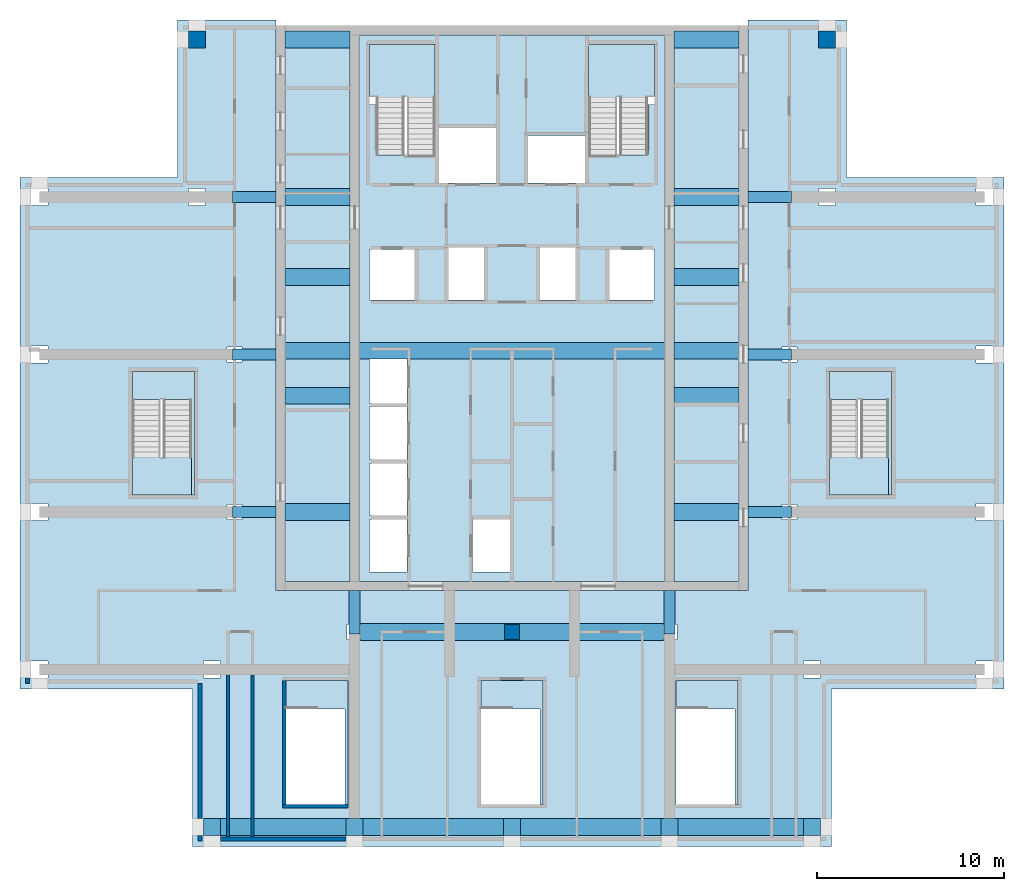
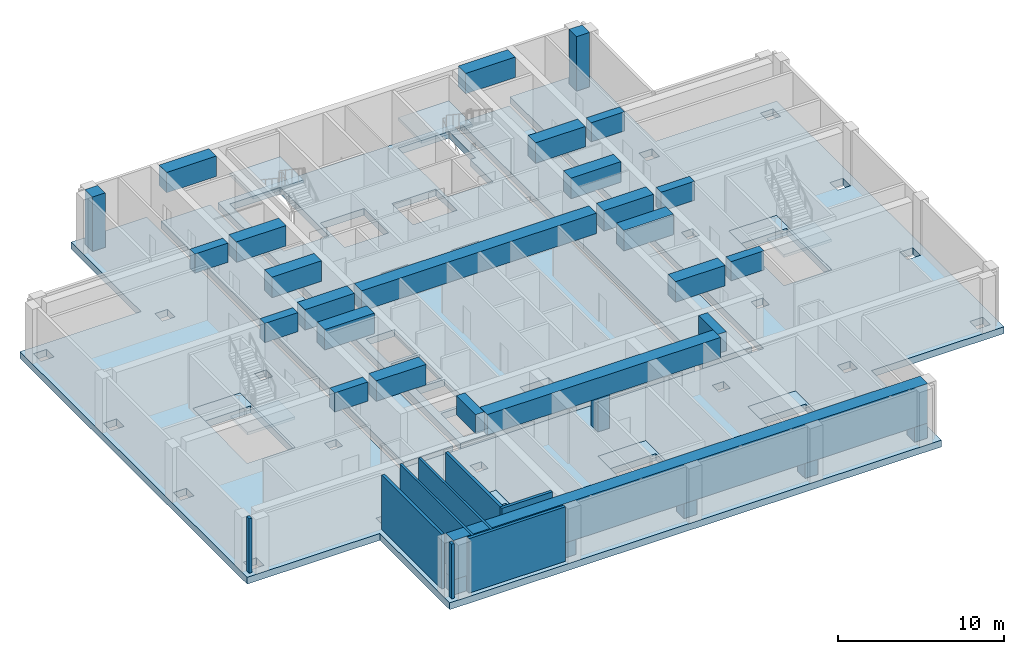
# One storey, part 1 of 11: 23 beams, 13 slabs, 8 columns, 8 walls, 4 elements without a shape of their own.
"""IFC4 building model written with IfcOpenShell, lengths in metres."""

from ifc_helpers import new_model, si_unit, direction, frame, frame_2d, origin, origin_2d, place, context, subcontext, project, spatial, polyline, rectangle, outline, extrude, material, layer, layer_set, material_profile, profile_set, type_object, element, aggregate, save


model = new_model("IFC4")

# Units and contexts
model_context = context("Model", 3, precision=1e-05, world=origin(), true_north=direction((0.0, 1.0)))
body_context = subcontext(model_context, "Body", "Model", "MODEL_VIEW")
ifc_project = project(units=[si_unit("LENGTHUNIT", "METRE"), si_unit("AREAUNIT", "SQUARE_METRE"), si_unit("VOLUMEUNIT", "CUBIC_METRE"), si_unit("PLANEANGLEUNIT", "RADIAN"), si_unit("MASSUNIT", "GRAM", prefix="KILO")], contexts=[model_context])

# Site, building, storey
site_placement = place(None, origin())
site = spatial("IfcSite", under=ifc_project, at=site_placement, CompositionType="ELEMENT")
building_placement = place(site_placement, origin())
building = spatial("IfcBuilding", under=site, at=building_placement, Name="Vermilion Ogive Tower", CompositionType="ELEMENT")
storey_placement = place(building_placement, frame((0.0, 0.0, 264.85009765625)))
storey = spatial("IfcBuildingStorey", under=building, at=storey_placement, Name="L70", CompositionType="ELEMENT", Elevation=264.85009765625)

# Columns
ifc_material_1 = material(Name="Concrete B60", Category="concrete")
ifc_material_profile_1 = material_profile(ifc_material_1, rectangle(XDim=0.89990234375, YDim=0.89990234375, at=origin_2d()), Name="900 x 900")
ifc_profile_set_1 = profile_set([ifc_material_profile_1], Name="Concrete B60")
column_type_1 = type_object("IfcColumnType", Name="Perimeter column 900 x 900 B60", PredefinedType="COLUMN", material=ifc_profile_set_1)
for number, where, z_axis, x_axis, name in (
    (1, (-16.0, -21.0, -0.5), (0.0, 0.0, 1.0), (1.0, 0.0, 0.0), "COL-L70-P-0160-210"),
    (2, (-8.39990234375, -21.0, -0.5), (0.0, 0.0, 1.0), (1.0, 0.0, 0.0), "COL-L70-P-0084-210"),
    (3, (0.0, -21.0, -0.5), (0.0, 0.0, 1.0), (1.0, 0.0, 0.0), "COL-L70-P+0000-210"),
    (4, (8.39990234375, -21.0, -0.5), (0.0, 0.0, 1.0), (1.0, 0.0, 0.0), "COL-L70-P+0084-210"),
    (5, (16.0, -21.0, -0.5), (0.0, 0.0, 1.0), (1.0, 0.0, 0.0), "COL-L70-P+0160-210"),
):
    element("IfcColumn", number, at=place(storey_placement, frame(where, z_axis=z_axis, x_axis=x_axis)), inside=storey, type_object=column_type_1, Name=name, PredefinedType="COLUMN", context=body_context, shape_type="SweptSolid", body=[
        extrude(rectangle(XDim=0.89990234375, YDim=0.89990234375, at=origin_2d()), origin(), (0.0, 0.0, 1.0), 1.599853515625),
    ])
for number, where, z_axis, x_axis, name in (
    (6, (-16.800048828125, 21.0, -0.5), (0.0, 0.0, 1.0), (1.0, 0.0, 0.0), "COL-L70-P-0168+210"),
    (7, (16.800048828125, 21.0, -0.5), (0.0, 0.0, 1.0), (1.0, 0.0, 0.0), "COL-L70-P+0168+210"),
):
    element("IfcColumn", number, at=place(storey_placement, frame(where, z_axis=z_axis, x_axis=x_axis)), inside=storey, type_object=column_type_1, Name=name, PredefinedType="COLUMN", context=body_context, shape_type="SweptSolid", body=[
        extrude(rectangle(XDim=0.89990234375, YDim=0.89990234375, at=origin_2d()), origin(), (0.0, 0.0, 1.0), 4.5),
    ])
ifc_material_2 = material(Name="Concrete B60", Category="concrete")
ifc_material_profile_2 = material_profile(ifc_material_2, rectangle(XDim=0.800048828125, YDim=0.800048828125, at=origin_2d()), Name="800 x 800")
ifc_profile_set_2 = profile_set([ifc_material_profile_2], Name="Concrete B60")
column_type_2 = type_object("IfcColumnType", Name="Ring column 800 x 800 B60", PredefinedType="COLUMN", material=ifc_profile_set_2)
column_placement = place(storey_placement, frame((0.0, -10.60009765625, -0.5), z_axis=(0.0, 0.0, 1.0), x_axis=(1.0, 0.0, 0.0)))
element("IfcColumn", 8, at=column_placement, inside=storey, type_object=column_type_2, Name="COL-L70-R+0000-106", PredefinedType="COLUMN", context=body_context, shape_type="SweptSolid", body=[
    extrude(rectangle(XDim=0.800048828125, YDim=0.800048828125, at=origin_2d()), origin(), (0.0, 0.0, 1.0), 3.0),
])

# Beams
ifc_material_3 = material(Name="Concrete B60", Category="concrete")
ifc_material_profile_3 = material_profile(ifc_material_3, rectangle(XDim=0.89990234375, YDim=2.89990234375, at=origin_2d()), Name="900 x 2900")
ifc_profile_set_3 = profile_set([ifc_material_profile_3], Name="Concrete B60")
beam_type_1 = type_object("IfcBeamType", Name="Belt girder 900 x 2900 B60", PredefinedType="BEAM", material=ifc_profile_set_3)
beam_1_placement = place(storey_placement, frame((-16.449951171875, -21.0, 2.5498046875), z_axis=(1.0, 0.0, 0.0), x_axis=(0.0, 1.0, 0.0)))
element("IfcBeam", 9, at=beam_1_placement, inside=storey, type_object=beam_type_1, Name="L70-BG-1", PredefinedType="BEAM", context=body_context, shape_type="SweptSolid", body=[
    extrude(rectangle(XDim=0.89990234375, YDim=2.89990234375, at=origin_2d()), origin(), (0.0, 0.0, 1.0), 32.89990234375),
])
ifc_material_4 = material(Name="Concrete B60", Category="concrete")
ifc_material_profile_4 = material_profile(ifc_material_4, rectangle(XDim=0.89990234375, YDim=1.5, at=origin_2d()), Name="900 x 1500")
ifc_profile_set_4 = profile_set([ifc_material_profile_4], Name="Concrete B60")
beam_type_2 = type_object("IfcBeamType", Name="Core transfer girder 900 x 1500 B60", PredefinedType="BEAM", material=ifc_profile_set_4)
beam_2_placement = place(storey_placement, frame((-12.094970703125, 4.39990234375, 3.25), z_axis=(1.0, 0.0, 0.0), x_axis=(0.0, 1.0, 0.0)))
element("IfcBeam", 10, at=beam_2_placement, inside=storey, type_object=beam_type_2, Name="L70-CT-1", PredefinedType="BEAM", context=body_context, shape_type="SweptSolid", body=[
    extrude(rectangle(XDim=0.89990234375, YDim=1.5, at=origin_2d()), origin(), (0.0, 0.0, 1.0), 3.43994140625),
])
beam_3_placement = place(storey_placement, frame((-8.14501953125, 4.39990234375, 3.25), z_axis=(1.0, 0.0, 0.0), x_axis=(0.0, 1.0, 0.0)))
element("IfcBeam", 11, at=beam_3_placement, inside=storey, type_object=beam_type_2, Name="L70-CT-2", PredefinedType="BEAM", context=body_context, shape_type="SweptSolid", body=[
    extrude(rectangle(XDim=0.89990234375, YDim=1.5, at=origin_2d()), origin(), (0.0, 0.0, 1.0), 16.2900390625),
])
beam_4_placement = place(storey_placement, frame((8.655029296875, 4.39990234375, 3.25), z_axis=(1.0, 0.0, 0.0), x_axis=(0.0, 1.0, 0.0)))
element("IfcBeam", 12, at=beam_4_placement, inside=storey, type_object=beam_type_2, Name="L70-CT-3", PredefinedType="BEAM", context=body_context, shape_type="SweptSolid", body=[
    extrude(rectangle(XDim=0.89990234375, YDim=1.5, at=origin_2d()), origin(), (0.0, 0.0, 1.0), 3.43994140625),
])
ifc_material_5 = material(Name="Concrete B60", Category="concrete")
ifc_material_profile_5 = material_profile(ifc_material_5, rectangle(XDim=0.60009765625, YDim=1.39990234375, at=origin_2d()), Name="600 x 1400")
ifc_profile_set_5 = profile_set([ifc_material_profile_5], Name="Concrete B60")
beam_type_3 = type_object("IfcBeamType", Name="Outrigger lintel beam 600 x 1400 B60", PredefinedType="BEAM", material=ifc_profile_set_5)
for number, where, z_axis, x_axis, name in (
    (13, (12.60009765625, -4.199951171875, 3.2998046875), (1.0, 0.0, 0.0), (0.0, 1.0, 0.0), "L70-OL-EWE-4.2"),
    (14, (12.60009765625, 4.199951171875, 3.2998046875), (1.0, 0.0, 0.0), (0.0, 1.0, 0.0), "L70-OL-EWE+4.2"),
    (15, (12.60009765625, 12.60009765625, 3.2998046875), (1.0, 0.0, 0.0), (0.0, 1.0, 0.0), "L70-OL-EWE+12.6"),
    (16, (-12.60009765625, -4.199951171875, 3.2998046875), (-1.0, 0.0, 0.0), (0.0, -1.0, 0.0), "L70-OL-EWW-4.2"),
    (17, (-12.60009765625, 4.199951171875, 3.2998046875), (-1.0, 0.0, 0.0), (0.0, -1.0, 0.0), "L70-OL-EWW+4.2"),
    (18, (-12.60009765625, 12.60009765625, 3.2998046875), (-1.0, 0.0, 0.0), (0.0, -1.0, 0.0), "L70-OL-EWW+12.6"),
):
    element("IfcBeam", number, at=place(storey_placement, frame(where, z_axis=z_axis, x_axis=x_axis)), inside=storey, type_object=beam_type_3, Name=name, PredefinedType="BEAM", context=body_context, shape_type="SweptSolid", body=[
        extrude(rectangle(XDim=0.60009765625, YDim=1.39990234375, at=origin_2d()), origin(), (0.0, 0.0, 1.0), 2.2998046875),
    ])
for number, where, z_axis, x_axis, name in (
    (19, (-8.39990234375, -8.39990234375, 3.2998046875), (0.0, -1.0, 0.0), (1.0, 0.0, 0.0), "L70-OL-NS-8.4"),
    (20, (8.39990234375, -8.39990234375, 3.2998046875), (0.0, -1.0, 0.0), (1.0, 0.0, 0.0), "L70-OL-NS+8.4"),
):
    element("IfcBeam", number, at=place(storey_placement, frame(where, z_axis=z_axis, x_axis=x_axis)), inside=storey, type_object=beam_type_3, Name=name, PredefinedType="BEAM", context=body_context, shape_type="SweptSolid", body=[
        extrude(rectangle(XDim=0.60009765625, YDim=1.39990234375, at=origin_2d()), origin(), (0.0, 0.0, 1.0), 2.300048828125),
    ])
ifc_material_6 = material(Name="Concrete B60", Category="concrete")
ifc_material_profile_6 = material_profile(ifc_material_6, rectangle(XDim=0.89990234375, YDim=1.5, at=origin_2d()), Name="900 x 1500")
ifc_profile_set_6 = profile_set([ifc_material_profile_6], Name="Concrete B60")
beam_type_4 = type_object("IfcBeamType", Name="Ring girder 900 x 1500 B60", PredefinedType="BEAM", material=ifc_profile_set_6)
beam_5_placement = place(storey_placement, frame((-8.090087890625, -10.60009765625, 3.25), z_axis=(1.0, 0.0, 0.0), x_axis=(0.0, 1.0, 0.0)))
element("IfcBeam", 21, at=beam_5_placement, inside=storey, type_object=beam_type_4, Name="L70-RG-1", PredefinedType="BEAM", context=body_context, shape_type="SweptSolid", body=[
    extrude(rectangle(XDim=0.89990234375, YDim=1.5, at=origin_2d()), origin(), (0.0, 0.0, 1.0), 16.18017578125),
])
ifc_material_7 = material(Name="Concrete B60", Category="concrete")
ifc_material_profile_7 = material_profile(ifc_material_7, rectangle(XDim=0.89990234375, YDim=1.5, at=origin_2d()), Name="900 x 1500")
ifc_profile_set_7 = profile_set([ifc_material_profile_7], Name="Concrete B60")
beam_type_5 = type_object("IfcBeamType", Name="Transfer girder 900 x 1500 B60", PredefinedType="BEAM", material=ifc_profile_set_7)
for number, where, z_axis, x_axis, name in (
    (22, (-12.10009765625, -4.199951171875, 3.25), (1.0, 0.0, 0.0), (0.0, 1.0, 0.0), "L70-TG-1"),
    (23, (8.64990234375, -4.199951171875, 3.25), (1.0, 0.0, 0.0), (0.0, 1.0, 0.0), "L70-TG-2"),
    (24, (-12.10009765625, 12.60009765625, 3.25), (1.0, 0.0, 0.0), (0.0, 1.0, 0.0), "L70-TG-3"),
    (25, (8.64990234375, 12.60009765625, 3.25), (1.0, 0.0, 0.0), (0.0, 1.0, 0.0), "L70-TG-4"),
    (26, (-12.10009765625, 21.0, 3.25), (1.0, 0.0, 0.0), (0.0, 1.0, 0.0), "L70-TG-5"),
    (27, (8.64990234375, 21.0, 3.25), (1.0, 0.0, 0.0), (0.0, 1.0, 0.0), "L70-TG-6"),
    (28, (-12.10009765625, 2.0, 3.25), (1.0, 0.0, 0.0), (0.0, 1.0, 0.0), "L70-TG-7"),
    (29, (8.64990234375, 2.0, 3.25), (1.0, 0.0, 0.0), (0.0, 1.0, 0.0), "L70-TG-8"),
    (30, (-12.10009765625, 8.333251953125, 3.25), (1.0, 0.0, 0.0), (0.0, 1.0, 0.0), "L70-TG-9"),
    (31, (8.64990234375, 8.333251953125, 3.25), (1.0, 0.0, 0.0), (0.0, 1.0, 0.0), "L70-TG-10"),
):
    element("IfcBeam", number, at=place(storey_placement, frame(where, z_axis=z_axis, x_axis=x_axis)), inside=storey, type_object=beam_type_5, Name=name, PredefinedType="BEAM", context=body_context, shape_type="SweptSolid", body=[
        extrude(rectangle(XDim=0.89990234375, YDim=1.5, at=origin_2d()), origin(), (0.0, 0.0, 1.0), 3.4501953125),
    ])

# Slabs
ifc_material_8 = material(Name="Concrete B40", Category="concrete")
ifc_layer_1 = layer(ifc_material_8, 0.5)
ifc_layer_set_1 = layer_set([ifc_layer_1], Name="Core floor slab 500 B40")
slab_type_1 = type_object("IfcSlabType", Name="Core floor slab 500 B40", PredefinedType="FLOOR", material=ifc_layer_set_1)
slab_1_placement = place(storey_placement, frame((0.0, 0.0, -0.5)))
element("IfcSlab", 32, at=slab_1_placement, inside=storey, type_object=slab_type_1, Name="L70-CK-FS1", PredefinedType="FLOOR", context=body_context, shape_type="SweptSolid", body=[
    extrude(outline(polyline([(-8.654052734375, 21.24609375), (-8.654052734375, -7.89599609375), (-12.095947265625, -7.89599609375), (-12.095947265625, 21.24609375), (-8.654052734375, 21.24609375)])), origin(), (0.0, 0.0, 1.0), 0.5),
])
slab_2_placement = place(storey_placement, frame((0.0, 0.0, -0.5)))
element("IfcSlab", 33, at=slab_2_placement, inside=storey, type_object=slab_type_1, Name="L70-CK-FS2", PredefinedType="FLOOR", context=body_context, shape_type="SweptSolid", body=[
    extrude(outline(polyline([(-8.14599609375, -7.89599609375), (8.14599609375, -7.89599609375), (8.14599609375, 21.24609375), (-8.14599609375, 21.24609375), (-8.14599609375, -7.89599609375)]), holes=[polyline([(-7.60009765625, -7.39990234375), (-7.60009765625, -4.60009765625), (-5.60009765625, -4.60009765625), (-5.60009765625, -7.39990234375), (-7.60009765625, -7.39990234375)]), polyline([(-7.60009765625, -4.39990234375), (-7.60009765625, -1.60009765625), (-5.60009765625, -1.60009765625), (-5.60009765625, -4.39990234375), (-7.60009765625, -4.39990234375)]), polyline([(-7.60009765625, -1.39990234375), (-7.60009765625, 1.39990234375), (-5.60009765625, 1.39990234375), (-5.60009765625, -1.39990234375), (-7.60009765625, -1.39990234375)]), polyline([(-7.60009765625, 1.60009765625), (-7.60009765625, 4.39990234375), (-5.60009765625, 4.39990234375), (-5.60009765625, 1.60009765625), (-7.60009765625, 1.60009765625)]), polyline([(-7.60009765625, 7.10009765625), (-7.60009765625, 9.800048828125), (-5.199951171875, 9.800048828125), (-5.199951171875, 7.10009765625), (-7.60009765625, 7.10009765625)]), polyline([(-3.39990234375, 9.89990234375), (-1.5, 9.89990234375), (-1.5, 7.10009765625), (-3.39990234375, 7.10009765625), (-3.39990234375, 9.89990234375)]), polyline([(-7.60009765625, 17.550048828125), (-7.60009765625, 20.75), (-4.10009765625, 20.75), (-4.10009765625, 14.85205078125), (-5.60009765625, 14.85205078125), (-5.60009765625, 14.85009765625), (-5.75, 14.85009765625), (-5.75, 14.85205078125), (-7.25, 14.85205078125), (-7.25, 17.550048828125), (-7.60009765625, 17.550048828125)]), polyline([(-2.10009765625, -7.39990234375), (-2.10009765625, -4.60009765625), (-0.10009765625, -4.60009765625), (-0.10009765625, -7.39990234375), (-2.10009765625, -7.39990234375)]), polyline([(5.199951171875, 7.10009765625), (5.199951171875, 9.800048828125), (7.60009765625, 9.800048828125), (7.60009765625, 7.10009765625), (5.199951171875, 7.10009765625)]), polyline([(1.5, 7.10009765625), (1.5, 9.89990234375), (3.39990234375, 9.89990234375), (3.39990234375, 7.10009765625), (1.5, 7.10009765625)]), polyline([(0.85009765625, 13.35009765625), (0.85009765625, 15.89990234375), (3.89990234375, 15.89990234375), (3.89990234375, 13.35009765625), (0.85009765625, 13.35009765625)]), polyline([(-3.89990234375, 16.300048828125), (-0.85009765625, 16.300048828125), (-0.85009765625, 13.35009765625), (-3.89990234375, 13.35009765625), (-3.89990234375, 16.300048828125)]), polyline([(5.75, 14.85009765625), (5.60009765625, 14.85009765625), (5.60009765625, 14.85205078125), (4.10009765625, 14.85205078125), (4.10009765625, 17.550048828125), (4.074951171875, 17.550048828125), (4.074951171875, 20.75), (7.60009765625, 20.75), (7.60009765625, 17.550048828125), (7.25, 17.550048828125), (7.25, 14.85205078125), (5.75, 14.85205078125), (5.75, 14.85009765625)])]), origin(), (0.0, 0.0, 1.0), 0.5),
])
slab_3_placement = place(storey_placement, frame((0.0, 0.0, -0.5)))
element("IfcSlab", 34, at=slab_3_placement, inside=storey, type_object=slab_type_1, Name="L70-CK-FS3", PredefinedType="FLOOR", context=body_context, shape_type="SweptSolid", body=[
    extrude(outline(polyline([(8.654052734375, 21.24609375), (12.095947265625, 21.24609375), (12.095947265625, -7.89599609375), (8.654052734375, -7.89599609375), (8.654052734375, 21.24609375)])), origin(), (0.0, 0.0, 1.0), 0.5),
])
slab_4_placement = place(storey_placement, frame((0.0, 0.0, -0.5)))
element("IfcSlab", 35, at=slab_4_placement, inside=storey, type_object=slab_type_1, Name="L70-SF-ST3-1", PredefinedType="FLOOR", context=body_context, shape_type="SweptSolid", body=[
    extrude(outline(polyline([(-8.75, -13.199951171875), (-12.050048828125, -13.199951171875), (-12.050048828125, -14.699951171875), (-10.39990234375, -14.699951171875), (-10.39990234375, -14.701904296875), (-8.89990234375, -14.701904296875), (-8.89990234375, -19.800048828125), (-8.75, -19.800048828125), (-8.75, -13.199951171875)])), origin(), (0.0, 0.0, 1.0), 0.5),
])
slab_5_placement = place(storey_placement, frame((0.0, 0.0, -0.5)))
element("IfcSlab", 36, at=slab_5_placement, inside=storey, type_object=slab_type_1, Name="L70-SF-ST4-1", PredefinedType="FLOOR", context=body_context, shape_type="SweptSolid", body=[
    extrude(outline(polyline([(1.64990234375, -13.199951171875), (-1.64990234375, -13.199951171875), (-1.64990234375, -14.699951171875), (0.0, -14.699951171875), (0.0, -14.701904296875), (1.5, -14.701904296875), (1.5, -19.800048828125), (1.64990234375, -19.800048828125), (1.64990234375, -13.199951171875)])), origin(), (0.0, 0.0, 1.0), 0.5),
])
slab_6_placement = place(storey_placement, frame((0.0, 0.0, -0.5)))
element("IfcSlab", 37, at=slab_6_placement, inside=storey, type_object=slab_type_1, Name="L70-SF-ST5-1", PredefinedType="FLOOR", context=body_context, shape_type="SweptSolid", body=[
    extrude(outline(polyline([(12.050048828125, -13.199951171875), (8.75, -13.199951171875), (8.75, -14.699951171875), (10.39990234375, -14.699951171875), (10.39990234375, -14.701904296875), (11.89990234375, -14.701904296875), (11.89990234375, -19.800048828125), (12.050048828125, -19.800048828125), (12.050048828125, -13.199951171875)])), origin(), (0.0, 0.0, 1.0), 0.5),
])
slab_7_placement = place(storey_placement, frame((0.0, 0.0, -0.5)))
element("IfcSlab", 38, at=slab_7_placement, inside=storey, type_object=slab_type_1, Name="L70-SF-ST8-1", PredefinedType="FLOOR", context=body_context, shape_type="SweptSolid", body=[
    extrude(outline(polyline([(16.949951171875, 3.300048828125), (16.949951171875, 1.798095703125), (18.449951171875, 1.798095703125), (18.449951171875, 1.800048828125), (18.60009765625, 1.800048828125), (18.60009765625, 1.798095703125), (20.10009765625, 1.798095703125), (20.10009765625, -3.300048828125), (20.25, -3.300048828125), (20.25, 3.300048828125), (16.949951171875, 3.300048828125)])), origin(), (0.0, 0.0, 1.0), 0.5),
])
slab_8_placement = place(storey_placement, frame((0.0, 0.0, -0.5)))
element("IfcSlab", 39, at=slab_8_placement, inside=storey, type_object=slab_type_1, Name="L70-SF-ST9-1", PredefinedType="FLOOR", context=body_context, shape_type="SweptSolid", body=[
    extrude(outline(polyline([(-20.25, 3.300048828125), (-20.25, 1.798095703125), (-18.75, 1.798095703125), (-18.75, 1.800048828125), (-18.60009765625, 1.800048828125), (-18.60009765625, 1.798095703125), (-17.10009765625, 1.798095703125), (-17.10009765625, -3.300048828125), (-16.949951171875, -3.300048828125), (-16.949951171875, 3.300048828125), (-20.25, 3.300048828125)])), origin(), (0.0, 0.0, 1.0), 0.5),
])
ifc_material_9 = material(Name="Concrete B45", Category="concrete")
ifc_layer_2 = layer(ifc_material_9, 0.5)
ifc_layer_set_2 = layer_set([ifc_layer_2], Name="Post-tensioned flat plate 500 B45")
slab_type_2 = type_object("IfcSlabType", Name="Post-tensioned flat plate 500 B45", PredefinedType="FLOOR", material=ifc_layer_set_2)
slab_9_placement = place(storey_placement, frame((0.0, 0.0, -0.5)))
element("IfcSlab", 40, at=slab_9_placement, inside=storey, type_object=slab_type_2, Name="L70-SL-1", PredefinedType="FLOOR", context=body_context, shape_type="SweptSolid", body=[
    extrude(outline(polyline([(-26.25, 13.64990234375), (-26.25, -13.64990234375), (-17.050048828125, -13.64990234375), (-17.050048828125, -22.050048828125), (17.050048828125, -22.050048828125), (17.050048828125, -13.64990234375), (26.25, -13.64990234375), (26.25, 13.64990234375), (17.85009765625, 13.64990234375), (17.85009765625, 22.050048828125), (12.60009765625, 22.050048828125), (12.60009765625, -8.39990234375), (-12.60009765625, -8.39990234375), (-12.60009765625, 22.050048828125), (-17.85009765625, 22.050048828125), (-17.85009765625, 13.64990234375), (-26.25, 13.64990234375)]), holes=[polyline([(24.75, 13.050048828125), (25.64990234375, 13.050048828125), (25.64990234375, 12.14990234375), (24.75, 12.14990234375), (24.75, 13.050048828125)]), polyline([(24.75, -12.14990234375), (25.64990234375, -12.14990234375), (25.64990234375, -13.050048828125), (24.75, -13.050048828125), (24.75, -12.14990234375)]), polyline([(25.64990234375, 4.64990234375), (25.64990234375, 3.75), (24.75, 3.75), (24.75, 4.64990234375), (25.64990234375, 4.64990234375)]), polyline([(25.64990234375, -3.75), (25.64990234375, -4.64990234375), (24.75, -4.64990234375), (24.75, -3.75), (25.64990234375, -3.75)]), polyline([(20.275146484375, -3.2998046875), (20.25, -3.2998046875), (20.25, -3.300048828125), (16.949951171875, -3.300048828125), (16.949951171875, 3.300048828125), (20.25, 3.300048828125), (20.25, -0.89990234375), (20.275146484375, -0.89990234375), (20.275146484375, -3.2998046875)]), polyline([(16.35009765625, 13.050048828125), (17.25, 13.050048828125), (17.25, 12.14990234375), (16.35009765625, 12.14990234375), (16.35009765625, 13.050048828125)]), polyline([(17.25, 21.449951171875), (17.25, 20.550048828125), (16.35009765625, 20.550048828125), (16.35009765625, 21.449951171875), (17.25, 21.449951171875)]), polyline([(15.550048828125, -12.14990234375), (16.449951171875, -12.14990234375), (16.449951171875, -13.050048828125), (15.550048828125, -13.050048828125), (15.550048828125, -12.14990234375)]), polyline([(15.550048828125, -20.550048828125), (16.449951171875, -20.550048828125), (16.449951171875, -21.449951171875), (15.550048828125, -21.449951171875), (15.550048828125, -20.550048828125)]), polyline([(14.39990234375, 4.60009765625), (15.199951171875, 4.60009765625), (15.199951171875, 3.800048828125), (14.39990234375, 3.800048828125), (14.39990234375, 4.60009765625)]), polyline([(14.39990234375, -3.800048828125), (15.199951171875, -3.800048828125), (15.199951171875, -4.60009765625), (14.39990234375, -4.60009765625), (14.39990234375, -3.800048828125)]), polyline([(8.75, -13.199951171875), (12.050048828125, -13.199951171875), (12.050048828125, -19.800048828125), (8.75, -19.800048828125), (8.75, -13.199951171875)]), polyline([(7.949951171875, -20.550048828125), (8.85009765625, -20.550048828125), (8.85009765625, -21.449951171875), (7.949951171875, -21.449951171875), (7.949951171875, -20.550048828125)]), polyline([(8.0, -10.199951171875), (8.800048828125, -10.199951171875), (8.800048828125, -11.0), (8.0, -11.0), (8.0, -10.199951171875)]), polyline([(-1.64990234375, -13.199951171875), (1.64990234375, -13.199951171875), (1.64990234375, -19.800048828125), (-1.64990234375, -19.800048828125), (-1.64990234375, -13.199951171875)]), polyline([(-0.449951171875, -20.550048828125), (0.449951171875, -20.550048828125), (0.449951171875, -21.449951171875), (-0.449951171875, -21.449951171875), (-0.449951171875, -20.550048828125)]), polyline([(-0.39990234375, -10.199951171875), (0.39990234375, -10.199951171875), (0.39990234375, -11.0), (-0.39990234375, -11.0), (-0.39990234375, -10.199951171875)]), polyline([(-8.85009765625, -20.550048828125), (-7.949951171875, -20.550048828125), (-7.949951171875, -21.449951171875), (-8.85009765625, -21.449951171875), (-8.85009765625, -20.550048828125)]), polyline([(-8.0, -10.199951171875), (-8.0, -11.0), (-8.800048828125, -11.0), (-8.800048828125, -10.199951171875), (-8.0, -10.199951171875)]), polyline([(-12.050048828125, -13.199951171875), (-8.75, -13.199951171875), (-8.75, -19.800048828125), (-12.050048828125, -19.800048828125), (-12.050048828125, -13.199951171875)]), polyline([(-15.199951171875, -3.800048828125), (-14.39990234375, -3.800048828125), (-14.39990234375, -4.60009765625), (-15.199951171875, -4.60009765625), (-15.199951171875, -3.800048828125)]), polyline([(-14.39990234375, 4.60009765625), (-14.39990234375, 3.800048828125), (-15.199951171875, 3.800048828125), (-15.199951171875, 4.60009765625), (-14.39990234375, 4.60009765625)]), polyline([(-16.449951171875, -12.14990234375), (-15.550048828125, -12.14990234375), (-15.550048828125, -13.050048828125), (-16.449951171875, -13.050048828125), (-16.449951171875, -12.14990234375)]), polyline([(-16.449951171875, -20.550048828125), (-15.550048828125, -20.550048828125), (-15.550048828125, -21.449951171875), (-16.449951171875, -21.449951171875), (-16.449951171875, -20.550048828125)]), polyline([(-17.25, 13.050048828125), (-16.35009765625, 13.050048828125), (-16.35009765625, 12.14990234375), (-17.25, 12.14990234375), (-17.25, 13.050048828125)]), polyline([(-16.35009765625, 21.449951171875), (-16.35009765625, 20.550048828125), (-17.25, 20.550048828125), (-17.25, 21.449951171875), (-16.35009765625, 21.449951171875)]), polyline([(-20.25, -3.300048828125), (-20.25, -3.2998046875), (-20.275146484375, -3.2998046875), (-20.275146484375, -0.89990234375), (-20.25, -0.89990234375), (-20.25, 3.300048828125), (-16.949951171875, 3.300048828125), (-16.949951171875, -3.300048828125), (-20.25, -3.300048828125)]), polyline([(-24.75, -3.75), (-24.75, -4.64990234375), (-25.64990234375, -4.64990234375), (-25.64990234375, -3.75), (-24.75, -3.75)]), polyline([(-25.64990234375, 4.64990234375), (-24.75, 4.64990234375), (-24.75, 3.75), (-25.64990234375, 3.75), (-25.64990234375, 4.64990234375)]), polyline([(-25.64990234375, -12.14990234375), (-24.75, -12.14990234375), (-24.75, -13.050048828125), (-25.64990234375, -13.050048828125), (-25.64990234375, -12.14990234375)]), polyline([(-24.75, 13.050048828125), (-24.75, 12.14990234375), (-25.64990234375, 12.14990234375), (-25.64990234375, 13.050048828125), (-24.75, 13.050048828125)])]), origin(), (0.0, 0.0, 1.0), 0.5),
])

# Stair, slab
ifc_material_10 = material(Name="Concrete B40", Category="concrete")
stair_type = type_object("IfcStairType", Name="Exit stair 1500", PredefinedType="HALF_TURN_STAIR", material=ifc_material_10)
stair_1_placement = place(storey_placement, origin())
stair_1 = element("IfcStair", 41, at=stair_1_placement, inside=storey, type_object=stair_type, Name="L70 Exit Stair ST1", PredefinedType="HALF_TURN_STAIR")
ifc_material_11 = material(Name="Concrete B40", Category="concrete")
ifc_layer_3 = layer(ifc_material_11, 0.199951171875)
ifc_layer_set_3 = layer_set([ifc_layer_3], Name="Stair landing 200")
slab_type_3 = type_object("IfcSlabType", Name="Stair landing 200", PredefinedType="LANDING", material=ifc_layer_set_3)
slab_10_placement = place(storey_placement, frame((0.0, 0.0, 2.0498046875)))
slab_10 = element("IfcSlab", 42, at=slab_10_placement, type_object=slab_type_3, Name="ST1 landing 1", PredefinedType="LANDING", context=body_context, shape_type="SweptSolid", body=[
    extrude(outline(polyline([(-7.60009765625, 17.929931640625), (-7.25, 17.929931640625), (-7.25, 17.927978515625), (-5.75, 17.927978515625), (-5.75, 17.929931640625), (-5.60009765625, 17.929931640625), (-5.60009765625, 17.927978515625), (-4.10009765625, 17.927978515625), (-4.10009765625, 20.75), (-7.60009765625, 20.75), (-7.60009765625, 17.929931640625)])), origin(), (0.0, 0.0, 1.0), 0.2001953125),
])
aggregate(stair_1, [slab_10])

stair_2_placement = place(storey_placement, origin())
stair_2 = element("IfcStair", 43, at=stair_2_placement, inside=storey, type_object=stair_type, Name="L70 Exit Stair ST2", PredefinedType="HALF_TURN_STAIR")
slab_11_placement = place(storey_placement, frame((0.0, 0.0, 2.0498046875)))
slab_11 = element("IfcSlab", 44, at=slab_11_placement, type_object=slab_type_3, Name="ST2 landing 1", PredefinedType="LANDING", context=body_context, shape_type="SweptSolid", body=[
    extrude(outline(polyline([(5.60009765625, 17.929931640625), (5.75, 17.929931640625), (5.75, 17.927978515625), (7.25, 17.927978515625), (7.25, 17.929931640625), (7.60009765625, 17.929931640625), (7.60009765625, 20.75), (4.074951171875, 20.75), (4.074951171875, 17.929931640625), (4.10009765625, 17.929931640625), (4.10009765625, 17.927978515625), (5.60009765625, 17.927978515625), (5.60009765625, 17.929931640625)])), origin(), (0.0, 0.0, 1.0), 0.2001953125),
])
aggregate(stair_2, [slab_11])

stair_3_placement = place(storey_placement, origin())
stair_3 = element("IfcStair", 45, at=stair_3_placement, inside=storey, type_object=stair_type, Name="L70 Exit Stair ST8", PredefinedType="HALF_TURN_STAIR")
slab_12_placement = place(storey_placement, frame((0.0, 0.0, 2.0498046875)))
slab_12 = element("IfcSlab", 46, at=slab_12_placement, type_object=slab_type_3, Name="ST8 landing 1", PredefinedType="LANDING", context=body_context, shape_type="SweptSolid", body=[
    extrude(outline(polyline([(20.25, -1.280029296875), (20.10009765625, -1.280029296875), (20.10009765625, -1.278076171875), (18.60009765625, -1.278076171875), (18.60009765625, -1.280029296875), (18.449951171875, -1.280029296875), (18.449951171875, -1.278076171875), (16.949951171875, -1.278076171875), (16.949951171875, -3.300048828125), (20.25, -3.300048828125), (20.25, -1.280029296875)])), origin(), (0.0, 0.0, 1.0), 0.2001953125),
])
aggregate(stair_3, [slab_12])

stair_4_placement = place(storey_placement, origin())
stair_4 = element("IfcStair", 47, at=stair_4_placement, inside=storey, type_object=stair_type, Name="L70 Exit Stair ST9", PredefinedType="HALF_TURN_STAIR")
slab_13_placement = place(storey_placement, frame((0.0, 0.0, 2.0498046875)))
slab_13 = element("IfcSlab", 48, at=slab_13_placement, type_object=slab_type_3, Name="ST9 landing 1", PredefinedType="LANDING", context=body_context, shape_type="SweptSolid", body=[
    extrude(outline(polyline([(-16.949951171875, -1.280029296875), (-17.10009765625, -1.280029296875), (-17.10009765625, -1.278076171875), (-18.60009765625, -1.278076171875), (-18.60009765625, -1.280029296875), (-18.75, -1.280029296875), (-18.75, -1.278076171875), (-20.25, -1.278076171875), (-20.25, -3.300048828125), (-16.949951171875, -3.300048828125), (-16.949951171875, -1.280029296875)])), origin(), (0.0, 0.0, 1.0), 0.2001953125),
])
aggregate(stair_4, [slab_13])

# Walls
ifc_material_12 = material(Name="Gypsum board partition on steel studs", Category="steel")
ifc_layer_4 = layer(ifc_material_12, 0.14990234375)
ifc_layer_set_4 = layer_set([ifc_layer_4], Name="Partition 150 corridor")
wall_type_1 = type_object("IfcWallType", Name="Partition 150 corridor", PredefinedType="PARTITIONING", material=ifc_layer_set_4)
for number, where, z_axis, x_axis, name in (
    (49, (-15.14990234375, -21.550048828125, 0.0), (0.0, 0.0, 1.0), (0.0, 1.0, 0.0), "L70-FS-W-W019a"),
    (50, (-13.85009765625, -21.550048828125, 0.0), (0.0, 0.0, 1.0), (0.0, 1.0, 0.0), "L70-FS-W-W021a"),
):
    element("IfcWall", number, at=place(storey_placement, frame(where, z_axis=z_axis, x_axis=x_axis)), inside=storey, type_object=wall_type_1, Name=name, PredefinedType="PARTITIONING", context=body_context, shape_type="SweptSolid", body=[
        extrude(rectangle(XDim=8.649169921875, YDim=0.14990234375, at=frame_2d((4.32470703125, 0.0))), origin(), (0.0, 0.0, 1.0), 4.0),
    ])
ifc_material_13 = material(Name="Aluminium louvre panels", Category="aluminium")
ifc_layer_5 = layer(ifc_material_13, 0.199951171875)
ifc_layer_set_5 = layer_set([ifc_layer_5], Name="Plant louvre wall")
wall_type_2 = type_object("IfcWallType", Name="Plant louvre wall", PredefinedType="STANDARD", material=ifc_layer_set_5)
wall_1_placement = place(storey_placement, frame((-15.550048828125, -21.64990234375, 0.0), z_axis=(0.0, 0.0, 1.0), x_axis=(1.0, 0.0, 0.0)))
element("IfcWall", 51, at=wall_1_placement, inside=storey, type_object=wall_type_2, Name="Window wall S1", PredefinedType="STANDARD", context=body_context, shape_type="SweptSolid", body=[
    extrude(rectangle(XDim=6.699951171875, YDim=0.199951171875, at=frame_2d((3.35009765625, 0.0))), origin(), (0.0, 0.0, 1.0), 4.0),
])
wall_2_placement = place(storey_placement, frame((-25.85009765625, -13.050048828125, 0.0), z_axis=(0.0, 0.0, 1.0), x_axis=(0.0, -1.0, 0.0)))
element("IfcWall", 52, at=wall_2_placement, inside=storey, type_object=wall_type_2, Name="Window wall W4", PredefinedType="STANDARD", context=body_context, shape_type="SweptSolid", body=[
    extrude(rectangle(XDim=0.300048828125, YDim=0.199951171875, at=frame_2d((0.14990234375, 0.0))), origin(), (0.0, 0.0, 1.0), 4.0),
])
wall_3_placement = place(storey_placement, frame((-16.64990234375, -13.35009765625, 0.0), z_axis=(0.0, 0.0, 1.0), x_axis=(0.0, -1.0, 0.0)))
element("IfcWall", 53, at=wall_3_placement, inside=storey, type_object=wall_type_2, Name="Window wall X81", PredefinedType="STANDARD", context=body_context, shape_type="SweptSolid", body=[
    extrude(rectangle(XDim=7.199951171875, YDim=0.199951171875, at=frame_2d((3.60009765625, 0.0))), origin(), (0.0, 0.0, 1.0), 4.0),
])
wall_4_placement = place(storey_placement, frame((-16.64990234375, -21.449951171875, 0.0), z_axis=(0.0, 0.0, 1.0), x_axis=(0.0, -1.0, 0.0)))
element("IfcWall", 54, at=wall_4_placement, inside=storey, type_object=wall_type_2, Name="Window wall X82", PredefinedType="STANDARD", context=body_context, shape_type="SweptSolid", body=[
    extrude(rectangle(XDim=0.300048828125, YDim=0.199951171875, at=frame_2d((0.14990234375, 0.0))), origin(), (0.0, 0.0, 1.0), 4.0),
])
ifc_material_14 = material(Name="Concrete B60", Category="concrete")
ifc_layer_6 = layer(ifc_material_14, 0.199951171875)
ifc_layer_set_6 = layer_set([ifc_layer_6], Name="Stair enclosure wall 200 Concrete B60")
wall_type_3 = type_object("IfcWallType", Name="Stair enclosure wall 200 Concrete B60", PredefinedType="PARTITIONING", material=ifc_layer_set_6)
wall_5_placement = place(storey_placement, frame((-12.25, -19.89990234375, 0.0), z_axis=(0.0, 0.0, 1.0), x_axis=(1.0, 0.0, 0.0)))
element("IfcWall", 55, at=wall_5_placement, inside=storey, type_object=wall_type_3, Name="L70-SW-ST3-S1", PredefinedType="PARTITIONING", context=body_context, shape_type="SweptSolid", body=[
    extrude(rectangle(XDim=3.5, YDim=0.199951171875, at=frame_2d((1.75, 0.0))), origin(), (0.0, 0.0, 1.0), 4.0),
])
wall_6_placement = place(storey_placement, frame((-12.14990234375, -19.800048828125, 0.0), z_axis=(0.0, 0.0, 1.0), x_axis=(0.0, 1.0, 0.0)))
element("IfcWall", 56, at=wall_6_placement, inside=storey, type_object=wall_type_3, Name="L70-SW-ST3-W1", PredefinedType="PARTITIONING", context=body_context, shape_type="SweptSolid", body=[
    extrude(rectangle(XDim=6.60009765625, YDim=0.199951171875, at=frame_2d((3.300048828125, 0.0))), origin(), (0.0, 0.0, 1.0), 4.0),
])

save(model, "model.ifc")
